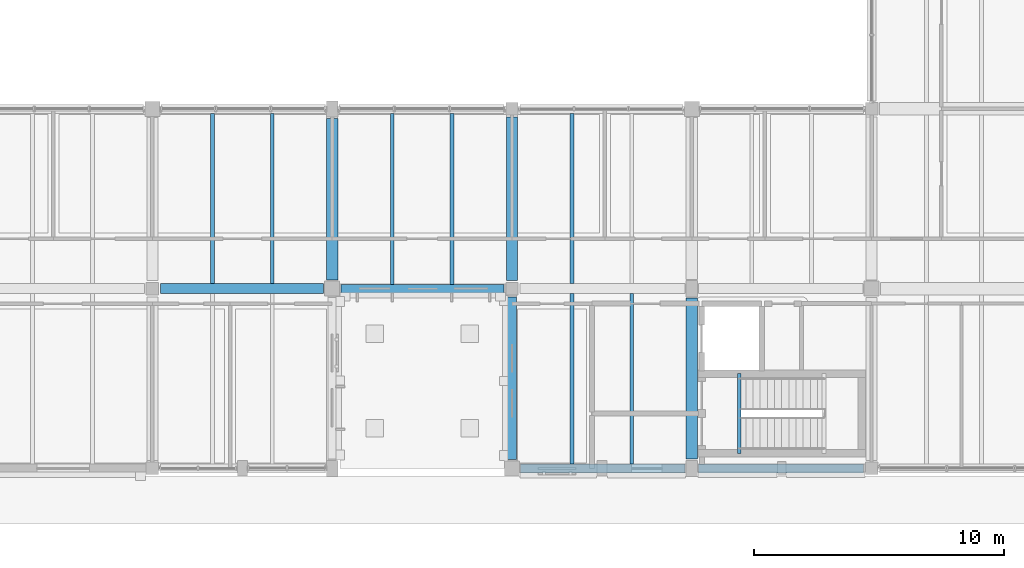
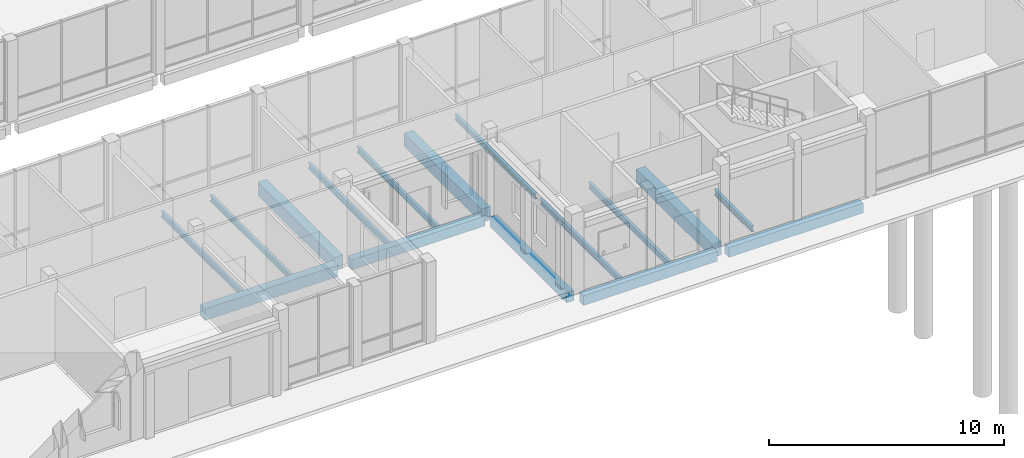
# One storey, part 19 of 104: 16 beams.
"""IFC4 building model written with IfcOpenShell, lengths in metres."""

from ifc_helpers import new_model, si_unit, direction, frame, origin, origin_2d, place, context, subcontext, project, spatial, rectangle, i_section, extrude, material, material_profile, profile_set, type_object, element, save


model = new_model("IFC4")

# Units and contexts
model_context = context("Model", 3, precision=1e-05, world=origin(), true_north=direction((0.0, 1.0)))
body_context = subcontext(model_context, "Body", "Model", "MODEL_VIEW")
ifc_project = project(units=[si_unit("LENGTHUNIT", "METRE"), si_unit("AREAUNIT", "SQUARE_METRE"), si_unit("VOLUMEUNIT", "CUBIC_METRE"), si_unit("PLANEANGLEUNIT", "RADIAN"), si_unit("MASSUNIT", "GRAM", prefix="KILO")], contexts=[model_context])

# Site, building, storey
site_placement = place(None, origin())
site = spatial("IfcSite", under=ifc_project, at=site_placement, CompositionType="ELEMENT")
building_placement = place(site_placement, origin())
building = spatial("IfcBuilding", under=site, at=building_placement, Name="Hawrajan Terrace Health Centre", CompositionType="ELEMENT")
storey_placement = place(building_placement, origin())
storey = spatial("IfcBuildingStorey", under=building, at=storey_placement, Name="L00", CompositionType="ELEMENT", Elevation=0.0)

# Beams
ifc_material_1 = material(Name="Concrete C40/50", Category="concrete")
ifc_material_profile_1 = material_profile(ifc_material_1, rectangle(XDim=0.39990234375, YDim=0.60009765625, at=origin_2d()), Name="RC BM 400x600")
ifc_profile_set_1 = profile_set([ifc_material_profile_1], Name="Concrete C40/50")
beam_type_1 = type_object("IfcBeamType", Name="RCGirder_400x600", PredefinedType="BEAM", material=ifc_profile_set_1)
beam_1_placement = place(storey_placement, frame((33.72509765625, 11.39990234375, -0.60009765625), z_axis=(1.0, 0.0, 0.0), x_axis=(0.0, 1.0, 0.0)))
element("IfcBeam", 1, at=beam_1_placement, inside=storey, type_object=beam_type_1, Name="Beam BM-X-L00-W-05-Y2", PredefinedType="BEAM", context=body_context, shape_type="SweptSolid", body=[
    extrude(rectangle(XDim=0.39990234375, YDim=0.60009765625, at=origin_2d()), origin(), (0.0, 0.0, 1.0), 6.52490234375),
])
ifc_material_profile_2 = material_profile(ifc_material_1, rectangle(XDim=0.449951171875, YDim=0.699951171875, at=origin_2d()), Name="RC BM 450x700")
ifc_profile_set_2 = profile_set([ifc_material_profile_2], Name="Concrete C40/50")
beam_type_2 = type_object("IfcBeamType", Name="RCGirder_450x700", PredefinedType="BEAM", material=ifc_profile_set_2)
beam_2_placement = place(storey_placement, frame((40.60009765625, 11.75, -0.64990234375), z_axis=(0.0, 1.0, 0.0), x_axis=(-1.0, 0.0, 0.0)))
element("IfcBeam", 2, at=beam_2_placement, inside=storey, type_object=beam_type_2, Name="Beam BM-Y-L00-W-X06-2", PredefinedType="BEAM", context=body_context, shape_type="SweptSolid", body=[
    extrude(rectangle(XDim=0.449951171875, YDim=0.699951171875, at=origin_2d()), origin(), (0.0, 0.0, 1.0), 6.47509765625),
])
beam_3_placement = place(storey_placement, frame((47.800048828125, 11.72509765625, -0.64990234375), z_axis=(0.0, 1.0, 0.0), x_axis=(-1.0, 0.0, 0.0)))
element("IfcBeam", 3, at=beam_3_placement, inside=storey, type_object=beam_type_2, Name="Beam BM-Y-L00-W-X07-2", PredefinedType="BEAM", context=body_context, shape_type="SweptSolid", body=[
    extrude(rectangle(XDim=0.449951171875, YDim=0.699951171875, at=origin_2d()), origin(), (0.0, 0.0, 1.0), 6.5498046875),
])
beam_4_placement = place(storey_placement, frame((55.0, 4.574951171875, -0.64990234375), z_axis=(0.0, 1.0, 0.0), x_axis=(-1.0, 0.0, 0.0)))
element("IfcBeam", 4, at=beam_4_placement, inside=storey, type_object=beam_type_2, Name="Beam BM-Y-L00-W-X08-1", PredefinedType="BEAM", context=body_context, shape_type="SweptSolid", body=[
    extrude(rectangle(XDim=0.449951171875, YDim=0.699951171875, at=origin_2d()), origin(), (0.0, 0.0, 1.0), 6.449951171875),
])
ifc_material_profile_3 = material_profile(ifc_material_1, rectangle(XDim=0.35009765625, YDim=0.52001953125, at=origin_2d()), Name="RC SP 350x520")
ifc_profile_set_3 = profile_set([ifc_material_profile_3], Name="Concrete C40/50")
beam_type_3 = type_object("IfcBeamType", Name="RCSpandrel_350x520", PredefinedType="SPANDREL", material=ifc_profile_set_3)
beam_5_placement = place(storey_placement, frame((40.949951171875, 11.39990234375, -0.56005859375), z_axis=(1.0, 0.0, 0.0), x_axis=(0.0, 1.0, 0.0)))
element("IfcBeam", 5, at=beam_5_placement, inside=storey, type_object=beam_type_3, Name="Beam BM-X-L00-W-06-Y2", PredefinedType="SPANDREL", context=body_context, shape_type="SweptSolid", body=[
    extrude(rectangle(XDim=0.35009765625, YDim=0.52001953125, at=origin_2d()), origin(), (0.0, 0.0, 1.0), 6.525146484375),
])
beam_6_placement = place(storey_placement, frame((48.14990234375, 4.199951171875, -0.56005859375), z_axis=(1.0, 0.0, 0.0), x_axis=(0.0, 1.0, 0.0)))
element("IfcBeam", 6, at=beam_6_placement, inside=storey, type_object=beam_type_3, Name="Beam BM-X-L00-W-07-Y1", PredefinedType="SPANDREL", context=body_context, shape_type="SweptSolid", body=[
    extrude(rectangle(XDim=0.35009765625, YDim=0.52001953125, at=origin_2d()), origin(), (0.0, 0.0, 1.0), 6.5751953125),
])
beam_7_placement = place(storey_placement, frame((55.27490234375, 4.199951171875, -0.56005859375), z_axis=(1.0, 0.0, 0.0), x_axis=(0.0, 1.0, 0.0)))
element("IfcBeam", 7, at=beam_7_placement, inside=storey, type_object=beam_type_3, Name="Beam BM-X-L00-W-08-Y1", PredefinedType="SPANDREL", context=body_context, shape_type="SweptSolid", body=[
    extrude(rectangle(XDim=0.35009765625, YDim=0.52001953125, at=origin_2d()), origin(), (0.0, 0.0, 1.0), 6.60009765625),
])
beam_8_placement = place(storey_placement, frame((47.800048828125, 4.550048828125, -0.56005859375), z_axis=(0.0, 1.0, 0.0), x_axis=(-1.0, 0.0, 0.0)))
element("IfcBeam", 8, at=beam_8_placement, inside=storey, type_object=beam_type_3, Name="Beam BM-Y-L00-W-X07-1", PredefinedType="SPANDREL", context=body_context, shape_type="SweptSolid", body=[
    extrude(rectangle(XDim=0.35009765625, YDim=0.52001953125, at=origin_2d()), origin(), (0.0, 0.0, 1.0), 6.52490234375),
])
ifc_material_2 = material(Name="Steel S355", Category="steel")
ifc_material_profile_4 = material_profile(ifc_material_2, i_section(OverallWidth=0.14990234375, OverallDepth=0.300048828125, WebThickness=0.007080078125, FlangeThickness=0.0107421875, FilletRadius=0.014892578125, at=origin_2d()), Name="IPE 300")
ifc_profile_set_4 = profile_set([ifc_material_profile_4], Name="Steel S355")
beam_type_4 = type_object("IfcBeamType", Name="SteelBeam_IPE300", PredefinedType="JOIST", material=ifc_profile_set_4)
for number, where, z_axis, x_axis, name in (
    (9, (35.800048828125, 11.60009765625, -0.449951171875), (0.0, 1.0, 0.0), (-1.0, 0.0, 0.0), "Secondary joist JST-L00-W-05-2-1"),
    (10, (38.199951171875, 11.60009765625, -0.449951171875), (0.0, 1.0, 0.0), (-1.0, 0.0, 0.0), "Secondary joist JST-L00-W-05-2-2"),
):
    element("IfcBeam", number, at=place(storey_placement, frame(where, z_axis=z_axis, x_axis=x_axis)), inside=storey, type_object=beam_type_4, Name=name, PredefinedType="JOIST", context=body_context, shape_type="SweptSolid", body=[
        extrude(i_section(OverallWidth=0.14990234375, OverallDepth=0.300048828125, WebThickness=0.007080078125, FlangeThickness=0.0107421875, FilletRadius=0.014892578125, at=origin_2d()), origin(), (0.0, 0.0, 1.0), 6.824951171875),
    ])
for number, where, z_axis, x_axis, name in (
    (11, (43.0, 11.574951171875, -0.449951171875), (0.0, 1.0, 0.0), (-1.0, 0.0, 0.0), "Secondary joist JST-L00-W-06-2-1"),
    (12, (45.39990234375, 11.574951171875, -0.449951171875), (0.0, 1.0, 0.0), (-1.0, 0.0, 0.0), "Secondary joist JST-L00-W-06-2-2"),
):
    element("IfcBeam", number, at=place(storey_placement, frame(where, z_axis=z_axis, x_axis=x_axis)), inside=storey, type_object=beam_type_4, Name=name, PredefinedType="JOIST", context=body_context, shape_type="SweptSolid", body=[
        extrude(i_section(OverallWidth=0.14990234375, OverallDepth=0.300048828125, WebThickness=0.007080078125, FlangeThickness=0.0107421875, FilletRadius=0.014892578125, at=origin_2d()), origin(), (0.0, 0.0, 1.0), 6.85009765625),
    ])
for number, where, z_axis, x_axis, name in (
    (13, (50.199951171875, 4.375, -0.449951171875), (0.0, 1.0, 0.0), (-1.0, 0.0, 0.0), "Secondary joist JST-L00-W-07-1-1"),
    (14, (52.60009765625, 4.375, -0.449951171875), (0.0, 1.0, 0.0), (-1.0, 0.0, 0.0), "Secondary joist JST-L00-W-07-1-2"),
    (15, (50.199951171875, 11.60009765625, -0.449951171875), (0.0, 1.0, 0.0), (-1.0, 0.0, 0.0), "Secondary joist JST-L00-W-07-2-1"),
):
    element("IfcBeam", number, at=place(storey_placement, frame(where, z_axis=z_axis, x_axis=x_axis)), inside=storey, type_object=beam_type_4, Name=name, PredefinedType="JOIST", context=body_context, shape_type="SweptSolid", body=[
        extrude(i_section(OverallWidth=0.14990234375, OverallDepth=0.300048828125, WebThickness=0.007080078125, FlangeThickness=0.0107421875, FilletRadius=0.014892578125, at=origin_2d()), origin(), (0.0, 0.0, 1.0), 6.824951171875),
    ])
beam_9_placement = place(storey_placement, frame((56.89990234375, 4.800048828125, -0.3701171875), z_axis=(0.0, 1.0, 0.0), x_axis=(-1.0, 0.0, 0.0)))
element("IfcBeam", 16, at=beam_9_placement, inside=storey, type_object=beam_type_4, Name="Stair landing trimmer ST-4-L00-B0", PredefinedType="JOIST", context=body_context, shape_type="SweptSolid", body=[
    extrude(i_section(OverallWidth=0.14990234375, OverallDepth=0.300048828125, WebThickness=0.007080078125, FlangeThickness=0.0107421875, FilletRadius=0.014892578125, at=origin_2d()), origin(), (0.0, 0.0, 1.0), 3.199951171875),
])

save(model, "model.ifc")
